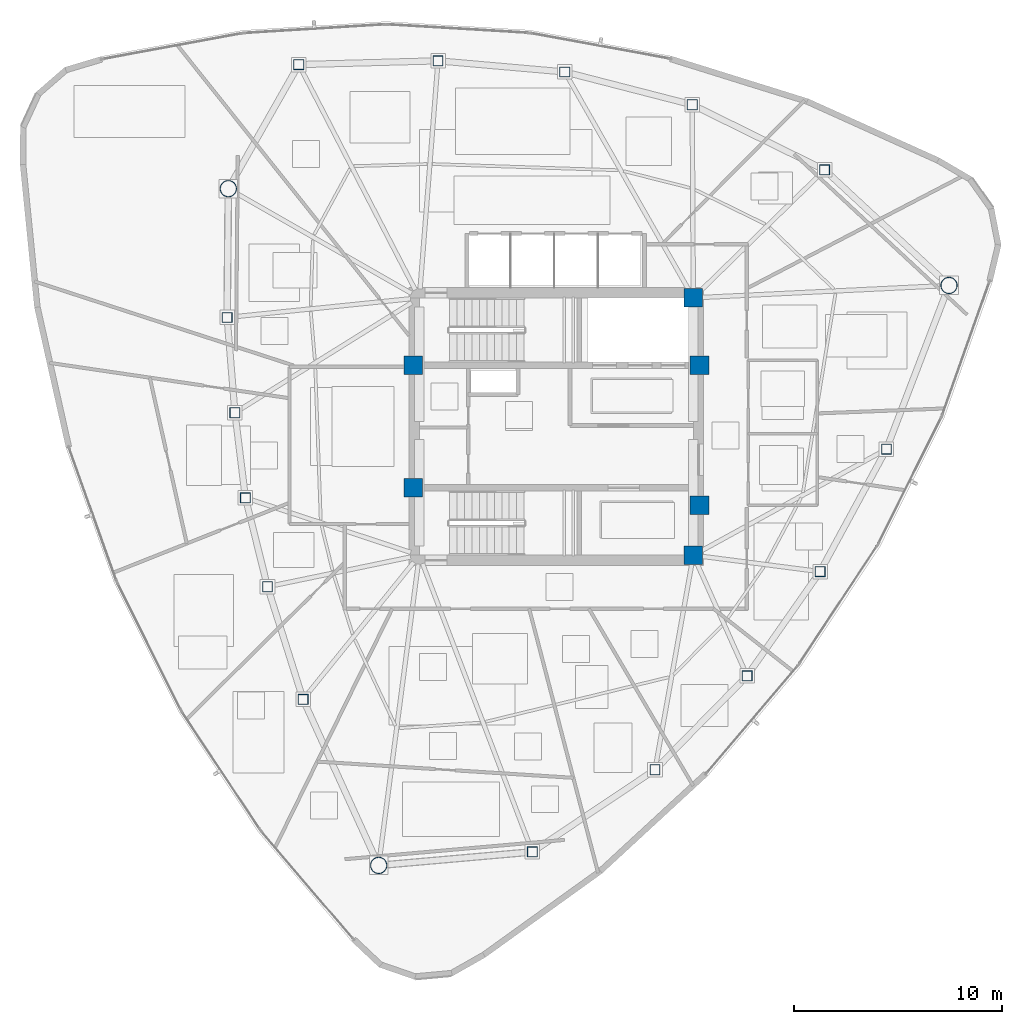
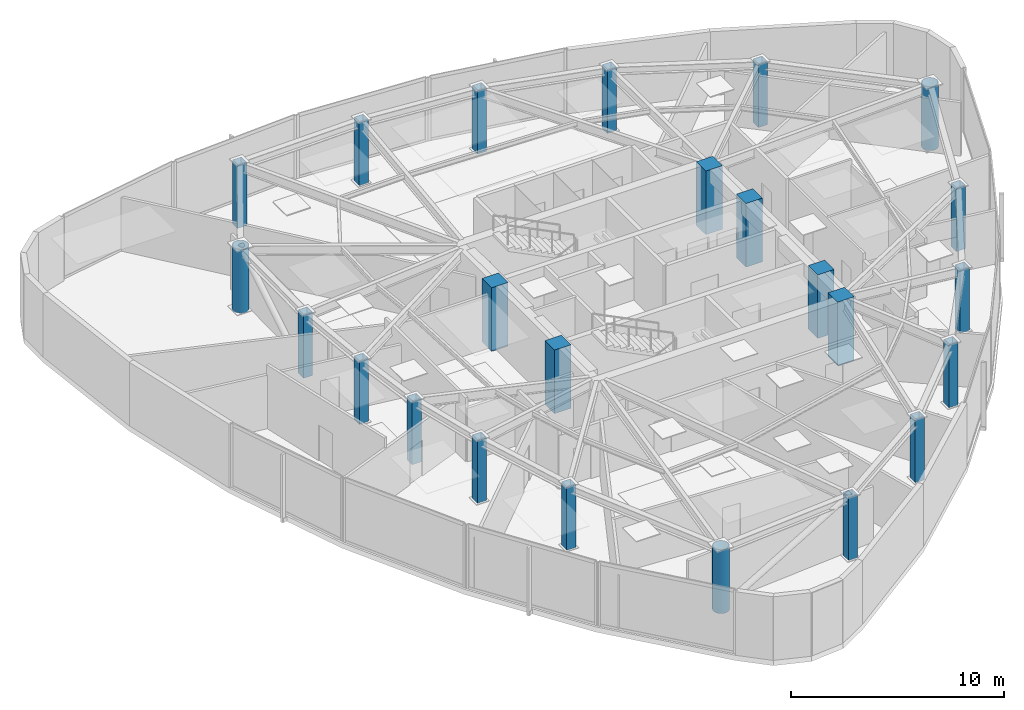
# One storey, part 1 of 13: 24 columns.
"""IFC4 building model written with IfcOpenShell, lengths in metres."""

from ifc_helpers import new_model, si_unit, direction, frame, origin, origin_2d, place, context, subcontext, project, spatial, rectangle, hollow_rectangle, hollow_circle, extrude, material, material_profile, profile_set, type_object, element, save


model = new_model("IFC4")

# Units and contexts
model_context = context("Model", 3, precision=1e-05, world=origin(), true_north=direction((0.0, 1.0)))
body_context = subcontext(model_context, "Body", "Model", "MODEL_VIEW")
ifc_project = project(units=[si_unit("LENGTHUNIT", "METRE"), si_unit("AREAUNIT", "SQUARE_METRE"), si_unit("VOLUMEUNIT", "CUBIC_METRE"), si_unit("PLANEANGLEUNIT", "RADIAN"), si_unit("MASSUNIT", "GRAM", prefix="KILO")], contexts=[model_context])

# Site, building, storey
site_placement = place(None, origin())
site = spatial("IfcSite", under=ifc_project, at=site_placement, CompositionType="ELEMENT")
building_placement = place(site_placement, origin())
building = spatial("IfcBuilding", under=site, at=building_placement, Name="Tavelor Broadcast Tower", CompositionType="ELEMENT")
storey_placement = place(building_placement, frame((0.0, 0.0, 265.60009765625)))
storey = spatial("IfcBuildingStorey", under=building, at=storey_placement, Name="L63", CompositionType="ELEMENT", Elevation=265.60009765625)

# Columns
ifc_material_1 = material(Name="Concrete C50/60", Category="concrete")
ifc_material_profile_1 = material_profile(ifc_material_1, rectangle(XDim=0.89990234375, YDim=0.89990234375, at=origin_2d()), Name="RC 900x900")
ifc_profile_set_1 = profile_set([ifc_material_profile_1], Name="Concrete C50/60")
column_type_1 = type_object("IfcColumnType", Name="Core Embedded Composite Column RC900", PredefinedType="COLUMN", material=ifc_profile_set_1)
for number, where, z_axis, x_axis, name in (
    (1, (43.10009765625, 47.949951171875, 0.0), (0.0, 0.0, 1.0), (1.0, 0.0, 0.0), "L63 Core Embedded Column 1"),
    (2, (56.89990234375, 47.949951171875, 0.0), (0.0, 0.0, 1.0), (1.0, 0.0, 0.0), "L63 Core Embedded Column 2"),
    (3, (56.60009765625, 51.199951171875, 0.0), (0.0, 0.0, 1.0), (1.0, 0.0, 0.0), "L63 Core Embedded Column 3"),
    (4, (43.10009765625, 42.050048828125, 0.0), (0.0, 0.0, 1.0), (1.0, 0.0, 0.0), "L63 Core Embedded Column 4"),
    (5, (56.89990234375, 41.199951171875, 0.0), (0.0, 0.0, 1.0), (1.0, 0.0, 0.0), "L63 Core Embedded Column 5"),
    (6, (56.60009765625, 38.800048828125, 0.0), (0.0, 0.0, 1.0), (1.0, 0.0, 0.0), "L63 Core Embedded Column 6"),
):
    element("IfcColumn", number, at=place(storey_placement, frame(where, z_axis=z_axis, x_axis=x_axis)), inside=storey, type_object=column_type_1, Name=name, PredefinedType="COLUMN", context=body_context, shape_type="SweptSolid", body=[
        extrude(rectangle(XDim=0.89990234375, YDim=0.89990234375, at=origin_2d()), origin(), (0.0, 0.0, 1.0), 3.64990234375),
    ])
ifc_material_2 = material(Name="Steel S460", Category="steel")
ifc_material_profile_2 = material_profile(ifc_material_2, hollow_rectangle(XDim=0.5, YDim=0.5, WallThickness=0.030029296875, at=origin_2d()), Name="SHS 500x500x30")
ifc_profile_set_2 = profile_set([ifc_material_profile_2], Name="Steel S460")
column_type_2 = type_object("IfcColumnType", Name="Perimeter Tube Column T6 SHS 500x500x30", PredefinedType="COLUMN", material=ifc_profile_set_2)
for number, where, z_axis, x_axis, name in (
    (7, (34.13720703125, 50.255859375, 0.0), (0.0, 0.0, 1.0), (1.0, 0.0, 0.0), "L63 Perimeter Framed-Tube Column 02"),
    (8, (34.513671875, 45.66455078125, 0.0), (0.0, 0.0, 1.0), (1.0, 0.0, 0.0), "L63 Perimeter Framed-Tube Column 03"),
    (9, (35.018798828125, 41.56396484375, 0.0), (0.0, 0.0, 1.0), (1.0, 0.0, 0.0), "L63 Perimeter Framed-Tube Column 04"),
    (10, (36.08349609375, 37.2822265625, 0.0), (0.0, 0.0, 1.0), (1.0, 0.0, 0.0), "L63 Perimeter Framed-Tube Column 05"),
    (11, (37.797119140625, 31.853271484375, 0.0), (0.0, 0.0, 1.0), (1.0, 0.0, 0.0), "L63 Perimeter Framed-Tube Column 06"),
    (12, (48.843994140625, 24.5048828125, 0.0), (0.0, 0.0, 1.0), (1.0, 0.0, 0.0), "L63 Perimeter Framed-Tube Column 08"),
    (13, (54.754150390625, 28.461669921875, 0.0), (0.0, 0.0, 1.0), (1.0, 0.0, 0.0), "L63 Perimeter Framed-Tube Column 09"),
    (14, (59.1923828125, 32.987060546875, 0.0), (0.0, 0.0, 1.0), (1.0, 0.0, 0.0), "L63 Perimeter Framed-Tube Column 10"),
    (15, (62.7109375, 38.009033203125, 0.0), (0.0, 0.0, 1.0), (1.0, 0.0, 0.0), "L63 Perimeter Framed-Tube Column 11"),
    (16, (65.9072265625, 43.909423828125, 0.0), (0.0, 0.0, 1.0), (1.0, 0.0, 0.0), "L63 Perimeter Framed-Tube Column 12"),
    (17, (62.92724609375, 57.364013671875, 0.0), (0.0, 0.0, 1.0), (1.0, 0.0, 0.0), "L63 Perimeter Framed-Tube Column 14"),
    (18, (56.545654296875, 60.504150390625, 0.0), (0.0, 0.0, 1.0), (1.0, 0.0, 0.0), "L63 Perimeter Framed-Tube Column 15"),
    (19, (50.4072265625, 62.0849609375, 0.0), (0.0, 0.0, 1.0), (1.0, 0.0, 0.0), "L63 Perimeter Framed-Tube Column 16"),
    (20, (44.298828125, 62.621337890625, 0.0), (0.0, 0.0, 1.0), (1.0, 0.0, 0.0), "L63 Perimeter Framed-Tube Column 17"),
    (21, (37.5908203125, 62.439208984375, 0.0), (0.0, 0.0, 1.0), (1.0, 0.0, 0.0), "L63 Perimeter Framed-Tube Column 18"),
):
    element("IfcColumn", number, at=place(storey_placement, frame(where, z_axis=z_axis, x_axis=x_axis)), inside=storey, type_object=column_type_2, Name=name, PredefinedType="COLUMN", context=body_context, shape_type="SweptSolid", body=[
        extrude(hollow_rectangle(XDim=0.5, YDim=0.5, WallThickness=0.030029296875, at=origin_2d()), origin(), (0.0, 0.0, 1.0), 3.64990234375),
    ])
ifc_material_profile_3 = material_profile(ifc_material_2, hollow_circle(Radius=0.406494140625, WallThickness=0.035888671875, at=origin_2d()), Name="CHS 813x36")
ifc_profile_set_3 = profile_set([ifc_material_profile_3], Name="Steel S460")
column_type_3 = type_object("IfcColumnType", Name="Tower Mega Column T6 CHS 813x36", PredefinedType="COLUMN", material=ifc_profile_set_3)
for number, where, z_axis, x_axis, name in (
    (22, (34.1962890625, 56.4599609375, 0.0), (0.0, 0.0, 1.0), (1.0, 0.0, 0.0), "L63 Tower Corner Mega Column 01"),
    (23, (41.440185546875, 23.853759765625, 0.0), (0.0, 0.0, 1.0), (1.0, 0.0, 0.0), "L63 Tower Corner Mega Column 07"),
    (24, (68.919677734375, 51.799072265625, 0.0), (0.0, 0.0, 1.0), (1.0, 0.0, 0.0), "L63 Tower Corner Mega Column 13"),
):
    element("IfcColumn", number, at=place(storey_placement, frame(where, z_axis=z_axis, x_axis=x_axis)), inside=storey, type_object=column_type_3, Name=name, PredefinedType="COLUMN", context=body_context, shape_type="SweptSolid", body=[
        extrude(hollow_circle(Radius=0.406494140625, WallThickness=0.035888671875, at=origin_2d()), origin(), (0.0, 0.0, 1.0), 3.64990234375),
    ])

save(model, "model.ifc")
